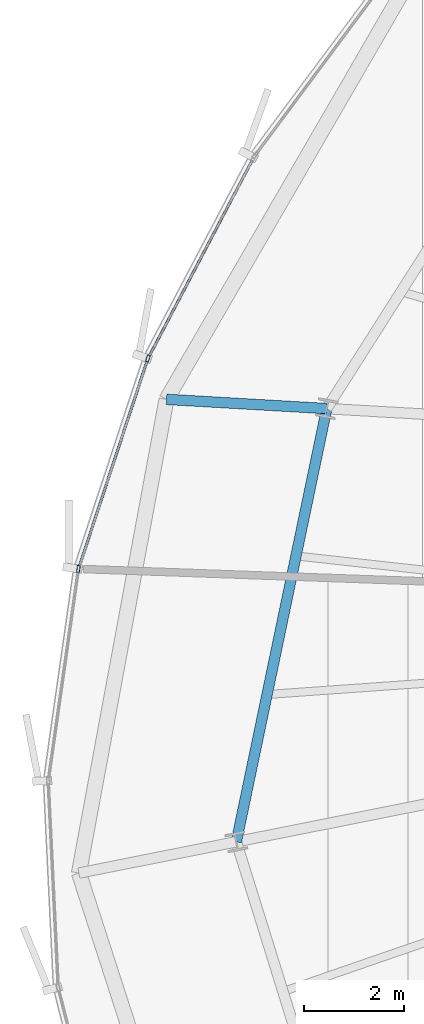
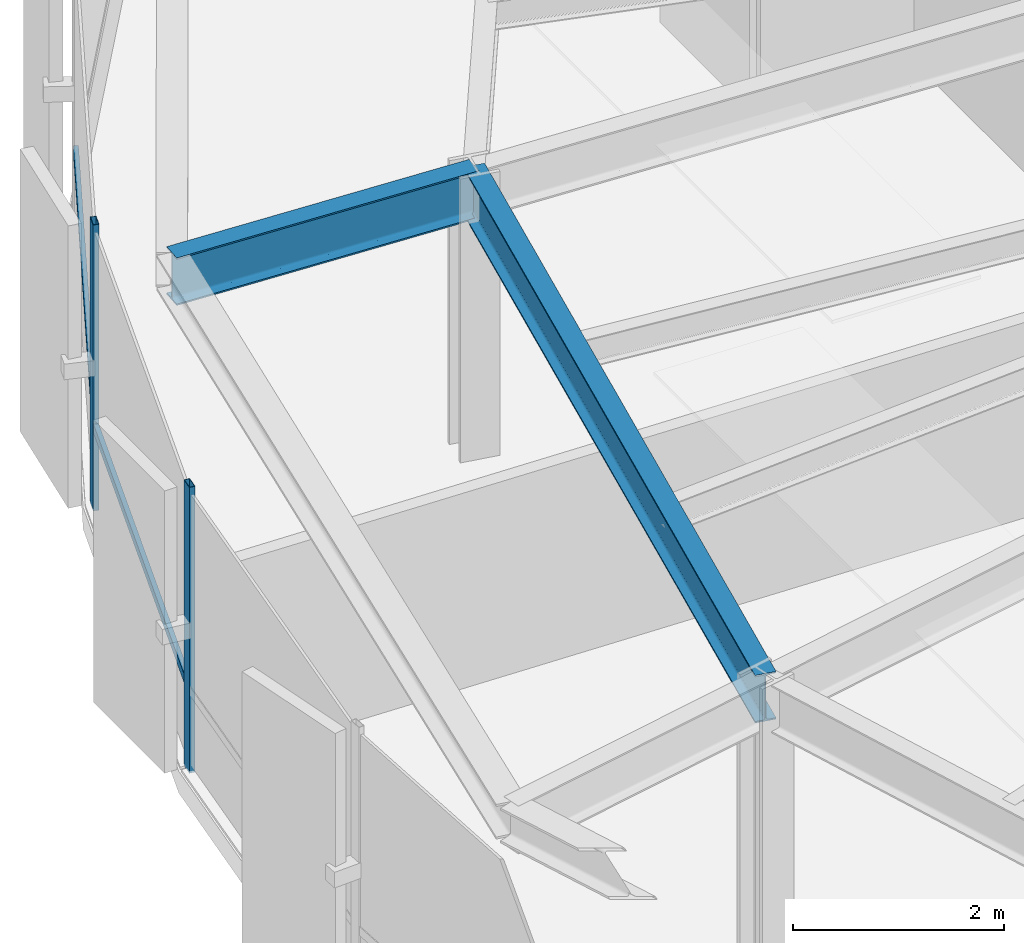
# One storey, part 11 of 36: 4 members, 2 beams, 1 element without a shape of its own.
"""IFC4 building model written with IfcOpenShell, lengths in metres."""

import ifcopenshell
import ifcopenshell.guid

model = None  # the IFC model being written
_history = None  # IfcOwnerHistory: only IFC2X3 demands one
_inside = {}  # id of a spatial element -> (the spatial element, [elements in it])
_under = {}  # id of a project, library or spatial element -> (it, [spatial elements below it])
_declared = {}  # id of a project -> (the project, [libraries it declares])
_typed = {}  # id of a type object -> (the type object, [elements of that type])
_made_of = {}  # id of a material, layer set ... -> (it, [elements and type objects made of it])


def new_model(schema):
    """Start an empty IFC model of exactly this schema.

    Asked for "IFC4X3", IfcOpenShell would pick the latest addendum, in which some entities
    have other attributes; the version numbers below select the first issue.
    IFC2X3 requires an IfcOwnerHistory on every rooted entity: one is made here for all.
    """
    global model, _history
    if schema == "IFC4X3":
        model = ifcopenshell.file(schema_version=(4, 3, 0, 0))
    else:
        model = ifcopenshell.file(schema=schema)
    _inside.clear()
    _under.clear()
    _declared.clear()
    _typed.clear()
    _made_of.clear()
    _history = None
    if model.schema == "IFC2X3":
        org = make("IfcOrganization", Name="unknown")
        user = make(
            "IfcPersonAndOrganization",
            ThePerson=make("IfcPerson", FamilyName="unknown"),
            TheOrganization=org,
        )
        app = make(
            "IfcApplication",
            ApplicationDeveloper=org,
            Version="unknown",
            ApplicationFullName="unknown",
            ApplicationIdentifier="unknown",
        )
        _history = make(
            "IfcOwnerHistory",
            OwningUser=user,
            OwningApplication=app,
            ChangeAction="ADDED",
            CreationDate=0,
        )
    return model


def make(cls, **values):
    """One entity of the class cls with the attributes given. An attribute that is None is left unset."""
    return model.create_entity(
        cls, **{name: value for name, value in values.items() if value is not None}
    )


def rooted(cls, **values):
    """An entity with a GlobalId (a new one), such as an element, a storey or a relation."""
    return make(cls, GlobalId=ifcopenshell.guid.new(), OwnerHistory=_history, **values)


def si_unit(unit_type, name, prefix=None):
    """IfcSIUnit, for example si_unit("LENGTHUNIT", "METRE", prefix="MILLI")."""
    return make("IfcSIUnit", UnitType=unit_type, Prefix=prefix, Name=name)


def assignment(units):
    """IfcUnitAssignment: the units of a project."""
    return None if units is None else make("IfcUnitAssignment", Units=units)


def point(xyz):
    """IfcCartesianPoint."""
    return None if xyz is None else make("IfcCartesianPoint", Coordinates=xyz)


def direction(xyz):
    """IfcDirection."""
    return None if xyz is None else make("IfcDirection", DirectionRatios=xyz)


def frame(location, z_axis=None, x_axis=None):
    """IfcAxis2Placement3D, a coordinate frame: its origin and axes. An axis left out is left unset."""
    return make(
        "IfcAxis2Placement3D",
        Location=point(location),
        Axis=direction(z_axis),
        RefDirection=direction(x_axis),
    )


def frame_2d(location, x_axis=None):
    """IfcAxis2Placement2D, a coordinate frame in the plane: its origin and x axis."""
    return make(
        "IfcAxis2Placement2D", Location=point(location), RefDirection=direction(x_axis)
    )


def origin():
    """The frame at (0, 0, 0) with its axes left unset."""
    return frame((0.0, 0.0, 0.0))


def origin_2d():
    """The frame at (0, 0) in the plane with its x axis left unset."""
    return frame_2d((0.0, 0.0))


def place(relative_to, where):
    """IfcLocalPlacement: puts the frame where relative to a parent placement (None: the world)."""
    return make(
        "IfcLocalPlacement", PlacementRelTo=relative_to, RelativePlacement=where
    )


def context(
    kind, dimensions, precision=None, world=None, true_north=None, identifier=None
):
    """IfcGeometricRepresentationContext, for example the 3D "Model" context."""
    return make(
        "IfcGeometricRepresentationContext",
        ContextIdentifier=identifier,
        ContextType=kind,
        CoordinateSpaceDimension=dimensions,
        Precision=precision,
        WorldCoordinateSystem=world,
        TrueNorth=true_north,
    )


def subcontext(parent, identifier, kind, view, scale=None):
    """IfcGeometricRepresentationSubContext, for example "Body" below "Model"."""
    return make(
        "IfcGeometricRepresentationSubContext",
        ContextIdentifier=identifier,
        ContextType=kind,
        ParentContext=parent,
        TargetScale=scale,
        TargetView=view,
    )


def project(units=None, contexts=None):
    """IfcProject with its units and contexts."""
    return rooted(
        "IfcProject",
        Name="project",
        RepresentationContexts=contexts,
        UnitsInContext=assignment(units),
    )


def spatial(cls, under=None, at=None, **own):
    """A site, building, storey or space (cls), placed at a placement, below another one or the project."""
    s = rooted(cls, ObjectPlacement=at, **own)
    if under is not None:
        _under.setdefault(under.id(), (under, []))[1].append(s)
    return s


def profile(cls, at=None, kind="AREA", **sizes):
    """A parametric profile (cls). Its sizes go by their IFC names, for example OverallWidth=200.0."""
    return make(cls, ProfileType=kind, Position=at, **sizes)


def hollow_rectangle(**sizes):
    """IfcRectangleHollowProfileDef."""
    return profile("IfcRectangleHollowProfileDef", **sizes)


def i_section(**sizes):
    """IfcIShapeProfileDef."""
    return profile("IfcIShapeProfileDef", **sizes)


def extrude(swept, where, along, depth):
    """IfcExtrudedAreaSolid: the profile swept, set in the frame where, extruded along a direction by depth."""
    return make(
        "IfcExtrudedAreaSolid",
        SweptArea=swept,
        Position=where,
        ExtrudedDirection=direction(along),
        Depth=depth,
    )


def shape(context_of_items, identifier, shape_type, items):
    """IfcShapeRepresentation: the items that make up one representation, for example the "Body"."""
    return make(
        "IfcShapeRepresentation",
        ContextOfItems=context_of_items,
        RepresentationIdentifier=identifier,
        RepresentationType=shape_type,
        Items=items,
    )


def source(mapping_origin, context_of_items, identifier, shape_type, items):
    """IfcRepresentationMap: a shape defined once, which mapped items show again and again."""
    return make(
        "IfcRepresentationMap",
        MappingOrigin=mapping_origin,
        MappedRepresentation=shape(context_of_items, identifier, shape_type, items),
    )


def transform(
    local_origin,
    x_axis=None,
    y_axis=None,
    z_axis=None,
    scale=None,
    scale2=None,
    scale3=None,
    uniform=True,
):
    """IfcCartesianTransformationOperator3D, or its non-uniform kind. x_axis, y_axis, z_axis: its Axis1, 2, 3."""
    if uniform:
        return make(
            "IfcCartesianTransformationOperator3D",
            Axis1=direction(x_axis),
            Axis2=direction(y_axis),
            LocalOrigin=point(local_origin),
            Scale=scale,
            Axis3=direction(z_axis),
        )
    return make(
        "IfcCartesianTransformationOperator3DnonUniform",
        Axis1=direction(x_axis),
        Axis2=direction(y_axis),
        LocalOrigin=point(local_origin),
        Scale=scale,
        Axis3=direction(z_axis),
        Scale2=scale2,
        Scale3=scale3,
    )


def mapped(mapping_source, mapping_target):
    """IfcMappedItem: shows the shape of a source again, moved by a transform."""
    return make(
        "IfcMappedItem", MappingSource=mapping_source, MappingTarget=mapping_target
    )


def material(Name=None, Category=None):
    """IfcMaterial."""
    return make("IfcMaterial", Name=Name, Category=Category)


def layer(
    of_material, thickness, ventilated=None, Name=None, Category=None, Priority=None
):
    """IfcMaterialLayer: one layer of a wall or slab, of a material (None: an air gap)."""
    return make(
        "IfcMaterialLayer",
        Material=of_material,
        LayerThickness=thickness,
        IsVentilated=ventilated,
        Name=Name,
        Category=Category,
        Priority=Priority,
    )


def layer_set(layers, Name=None):
    """IfcMaterialLayerSet."""
    return make("IfcMaterialLayerSet", MaterialLayers=layers, LayerSetName=Name)


def material_profile(
    of_material, cross_section, Name=None, Category=None, Priority=None
):
    """IfcMaterialProfile: a cross section and its material."""
    return make(
        "IfcMaterialProfile",
        Name=Name,
        Material=of_material,
        Profile=cross_section,
        Priority=Priority,
        Category=Category,
    )


def profile_set(profiles, Name=None, composite=None):
    """IfcMaterialProfileSet."""
    return make(
        "IfcMaterialProfileSet",
        Name=Name,
        MaterialProfiles=profiles,
        CompositeProfile=composite,
    )


def made_of(thing, what):
    """Note that an element or type object is made of a material, layer set ...; save() writes the relation."""
    if what is not None:
        _made_of.setdefault(what.id(), (what, []))[1].append(thing)
    return thing


def type_object(cls, material=None, **own):
    """A type object (cls), such as IfcWallType, which elements share."""
    return made_of(rooted(cls, **own), material)


def element(
    cls,
    number,
    at=None,
    inside=None,
    cuts=None,
    type_object=None,
    material=None,
    context=None,
    identifier="Body",
    shape_type=None,
    held_by="IfcProductDefinitionShape",
    body=None,
    shapes=None,
    **own,
):
    """One element of the class cls, such as IfcWall. Its Tag is "e" and its number.

    at: its placement. inside: the storey or other place that contains it. cuts: it is an
    opening in that element (IfcRelVoidsElement). A single representation is given by context,
    identifier, shape_type and body (its items); several are given by shapes. held_by: the class
    of the entity that holds the representations. save() writes the other relations.
    """
    e = rooted(cls, Tag="e%d" % number, ObjectPlacement=at, **own)
    if body is not None:
        shapes = [shape(context, identifier, shape_type, body)]
    if shapes is not None:
        e.Representation = make(held_by, Representations=shapes)
    if inside is not None:
        _inside.setdefault(inside.id(), (inside, []))[1].append(e)
    if cuts is not None:
        rooted(
            "IfcRelVoidsElement", RelatingBuildingElement=cuts, RelatedOpeningElement=e
        )
    if type_object is not None:
        _typed.setdefault(type_object.id(), (type_object, []))[1].append(e)
    return made_of(e, material)


def aggregate(whole, parts):
    """IfcRelAggregates: a whole, such as a stair, and the parts it consists of."""
    return rooted("IfcRelAggregates", RelatingObject=whole, RelatedObjects=parts)


def save(model, path):
    """Write the relations noted so far, then the file.

    IfcRelAggregates (storeys below a building ...), IfcRelContainedInSpatialStructure (elements
    in a storey), IfcRelDefinesByType, IfcRelAssociatesMaterial and IfcRelDeclares: one each for
    every whole, place, type object, material and project.
    """
    for whole, parts in _under.values():
        aggregate(whole, parts)
    for where, things in _inside.values():
        rooted(
            "IfcRelContainedInSpatialStructure",
            RelatedElements=things,
            RelatingStructure=where,
        )
    for kind, things in _typed.values():
        rooted("IfcRelDefinesByType", RelatedObjects=things, RelatingType=kind)
    for what, things in _made_of.values():
        rooted("IfcRelAssociatesMaterial", RelatedObjects=things, RelatingMaterial=what)
    for by, libraries in _declared.values():
        rooted("IfcRelDeclares", RelatingContext=by, RelatedDefinitions=libraries)
    model.write(path)


model = new_model("IFC4")

# Units and contexts
model_context = context("Model", 3, precision=1e-05, world=origin(), true_north=direction((0.0, 1.0)))
body_context = subcontext(model_context, "Body", "Model", "MODEL_VIEW")
ifc_project = project(units=[si_unit("LENGTHUNIT", "METRE"), si_unit("AREAUNIT", "SQUARE_METRE"), si_unit("VOLUMEUNIT", "CUBIC_METRE"), si_unit("PLANEANGLEUNIT", "RADIAN"), si_unit("MASSUNIT", "GRAM", prefix="KILO"), si_unit("THERMODYNAMICTEMPERATUREUNIT", "KELVIN")], contexts=[model_context])

# Site, building, storey
site_placement = place(None, origin())
site = spatial("IfcSite", under=ifc_project, at=site_placement, CompositionType="ELEMENT")
building_placement = place(site_placement, origin())
building = spatial("IfcBuilding", under=site, at=building_placement, Name="Kethvar Cultural Tower", CompositionType="ELEMENT")
storey_placement = place(building_placement, frame((0.0, 0.0, 164.300048828125)))
storey = spatial("IfcBuildingStorey", under=building, at=storey_placement, Name="L42", CompositionType="ELEMENT", Elevation=164.300048828125)

# Beams
ifc_material_1 = material(Name="Steel S355J2", Category="steel")
ifc_material_profile_1 = material_profile(ifc_material_1, i_section(OverallWidth=0.2099609375, OverallDepth=0.550048828125, WebThickness=0.010986328125, FlangeThickness=0.01708984375, FilletRadius=0.02392578125, at=origin_2d()), Name="Steel S355J2 — IPE550")
ifc_profile_set_1 = profile_set([ifc_material_profile_1], Name="Steel S355J2 — IPE550")
beam_type = type_object("IfcBeamType", Name="BM-IPE550", PredefinedType="BEAM", material=ifc_profile_set_1)
shared_shape_1 = source(origin(), body_context, "Body", "SweptSolid", [
    extrude(i_section(OverallWidth=0.2099609375, OverallDepth=0.550048828125, WebThickness=0.010986328125, FlangeThickness=0.01708984375, FilletRadius=0.02392578125, at=origin_2d()), origin(), (0.0, 0.0, 1.0), 3.2001953125),
])
beam_1_placement = place(storey_placement, frame((25.988525390625, 31.939697265625, 3.02294921875), z_axis=(-0.998357274949, 0.057295301352, 0.0), x_axis=(-0.057295301352, -0.998357274949, 0.0)))
element("IfcBeam", 1, at=beam_1_placement, inside=storey, type_object=beam_type, Name="L42 Perimeter Cantilever Beam RC-08", PredefinedType="BEAM", context=body_context, shape_type="MappedRepresentation", body=[
    mapped(shared_shape_1, transform((0.0, 0.0, 0.0), scale=1.0)),
])
shared_shape_2 = source(origin(), body_context, "Body", "SweptSolid", [
    extrude(i_section(OverallWidth=0.2099609375, OverallDepth=0.550048828125, WebThickness=0.010986328125, FlangeThickness=0.01708984375, FilletRadius=0.02392578125, at=origin_2d()), origin(), (0.0, 0.0, 1.0), 8.82421875),
])
beam_2_placement = place(storey_placement, frame((25.988525390625, 31.939697265625, 3.02294921875), z_axis=(-0.204350879122, -0.978897705688, 0.0), x_axis=(0.978897705688, -0.204350879122, 0.0)))
element("IfcBeam", 2, at=beam_2_placement, inside=storey, type_object=beam_type, Name="L42 Column Ring Tie Beam CR-08", PredefinedType="BEAM", context=body_context, shape_type="MappedRepresentation", body=[
    mapped(shared_shape_2, transform((0.0, 0.0, 0.0), scale=1.0)),
])

# Curtain wall, members
ifc_material_2 = material(Name="Aluminium 6063-T6", Category="aluminium")
ifc_layer = layer(ifc_material_2, 0.179931640625, Name="Aluminium 6063-T6", Category="aluminium")
ifc_layer_set = layer_set([ifc_layer], Name="Aluminium 6063-T6 (180 mm)")
curtain_wall_type = type_object("IfcCurtainWallType", Name="CW-SYS-04-Z34", PredefinedType="NOTDEFINED", material=ifc_layer_set)
curtain_wall_placement = place(storey_placement, origin())
curtain_wall = element("IfcCurtainWall", 3, at=curtain_wall_placement, inside=storey, type_object=curtain_wall_type, Name="L42 Curtain Wall Run 03", PredefinedType="NOTDEFINED")
ifc_material_profile_2 = material_profile(ifc_material_2, hollow_rectangle(XDim=0.06005859375, YDim=0.139892578125, WallThickness=0.0048828125, at=origin_2d()), Name="Aluminium 6063-T6 — RHS140x60x5")
ifc_profile_set_2 = profile_set([ifc_material_profile_2], Name="Aluminium 6063-T6 — RHS140x60x5")
member_type_1 = type_object("IfcMemberType", Name="CW-SYS-04-Z34-MUL", PredefinedType="MULLION", material=ifc_profile_set_2)
shared_shape_3 = source(origin(), body_context, "Body", "SweptSolid", [
    extrude(hollow_rectangle(XDim=0.06005859375, YDim=0.139892578125, WallThickness=0.0048828125, at=origin_2d()), origin(), (0.0, 0.0, 1.0), 3.300048828125),
])
member_1_placement = place(storey_placement, frame((22.4228515625, 32.939208984375, 0.0), z_axis=(0.0, 0.0, 1.0), x_axis=(0.949666326558, -0.313263257026, 0.0)))
member_1 = element("IfcMember", 4, at=member_1_placement, type_object=member_type_1, Name="CW-L42-R03 Mullion 2", PredefinedType="MULLION", context=body_context, shape_type="MappedRepresentation", body=[
    mapped(shared_shape_3, transform((0.0, 0.0, 0.0), scale=1.0)),
])
member_2_placement = place(storey_placement, frame((21.037109375, 28.74365234375, 0.0), z_axis=(0.0, 0.0, 1.0), x_axis=(0.990018738733, -0.140935790197, 0.0)))
member_2 = element("IfcMember", 5, at=member_2_placement, type_object=member_type_1, Name="CW-L42-R03 Mullion 3", PredefinedType="MULLION", context=body_context, shape_type="MappedRepresentation", body=[
    mapped(shared_shape_3, transform((0.0, 0.0, 0.0), scale=1.0)),
])
ifc_material_profile_3 = material_profile(ifc_material_2, hollow_rectangle(XDim=0.050048828125, YDim=0.10009765625, WallThickness=0.00390625, at=origin_2d()), Name="Aluminium 6063-T6 — RHS100x50x4")
ifc_profile_set_3 = profile_set([ifc_material_profile_3], Name="Aluminium 6063-T6 — RHS100x50x4")
member_type_2 = type_object("IfcMemberType", Name="CW-SYS-04-Z34-TRN", PredefinedType="USERDEFINED", material=ifc_profile_set_3)
shared_shape_4 = source(origin(), body_context, "Body", "SweptSolid", [
    extrude(hollow_rectangle(XDim=0.050048828125, YDim=0.10009765625, WallThickness=0.00390625, at=origin_2d()), origin(), (0.0, 0.0, 1.0), 4.498046875),
])
member_3_placement = place(storey_placement, frame((24.529541015625, 36.941650390625, 0.949951171875), z_axis=(-0.465486915193, -0.885054762026, 0.0), x_axis=(0.885054762026, -0.465486915193, 0.0)))
member_3 = element("IfcMember", 6, at=member_3_placement, type_object=member_type_2, Name="CW-L42-R03 Transom 1", ObjectType="TRANSOM", PredefinedType="USERDEFINED", context=body_context, shape_type="MappedRepresentation", body=[
    mapped(shared_shape_4, transform((0.0, 0.0, 0.0), scale=1.0)),
])
shared_shape_5 = source(origin(), body_context, "Body", "SweptSolid", [
    extrude(hollow_rectangle(XDim=0.050048828125, YDim=0.10009765625, WallThickness=0.00390625, at=origin_2d()), origin(), (0.0, 0.0, 1.0), 4.3515625),
])
member_4_placement = place(storey_placement, frame((22.4091796875, 32.898193359375, 0.949951171875), z_axis=(-0.313230220329, -0.949677223625, 0.0), x_axis=(0.949677223625, -0.313230220329, 0.0)))
member_4 = element("IfcMember", 7, at=member_4_placement, type_object=member_type_2, Name="CW-L42-R03 Transom 2", ObjectType="TRANSOM", PredefinedType="USERDEFINED", context=body_context, shape_type="MappedRepresentation", body=[
    mapped(shared_shape_5, transform((0.0, 0.0, 0.0), scale=1.0)),
])
aggregate(curtain_wall, [member_1, member_2, member_3, member_4])

save(model, "model.ifc")
